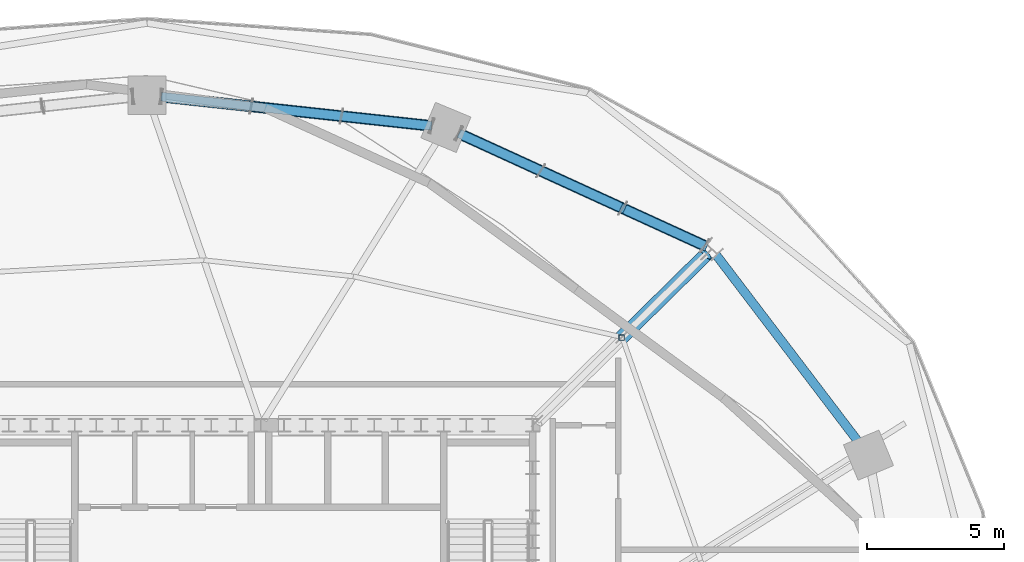
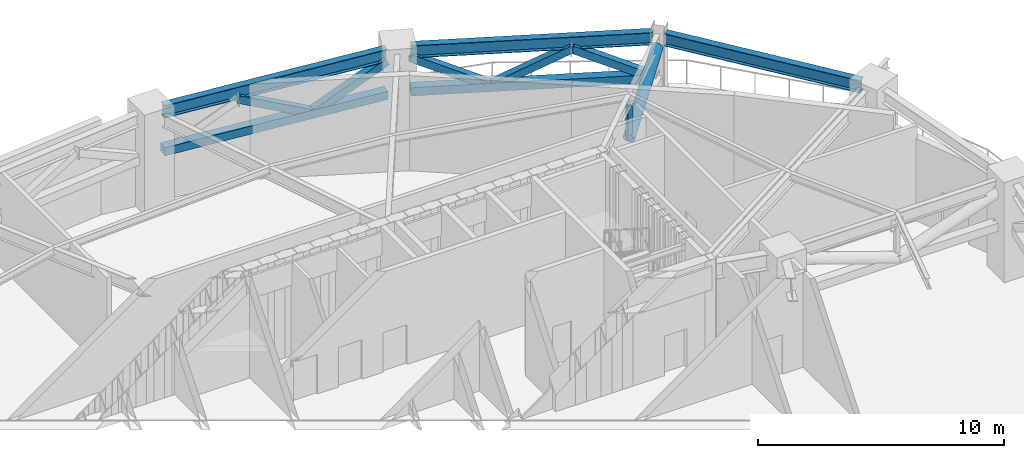
# One storey, part 8 of 18: 9 members, 3 beams.
"""IFC4 building model written with IfcOpenShell, lengths in metres."""

from ifc_helpers import new_model, si_unit, direction, frame, origin, origin_2d, place, context, subcontext, project, spatial, hollow_rectangle, hollow_circle, i_section, extrude, material, material_profile, profile_set, type_object, element, save


model = new_model("IFC4")

# Units and contexts
model_context = context("Model", 3, precision=1e-05, world=origin(), true_north=direction((0.0, 1.0)))
body_context = subcontext(model_context, "Body", "Model", "MODEL_VIEW")
ifc_project = project(units=[si_unit("LENGTHUNIT", "METRE"), si_unit("AREAUNIT", "SQUARE_METRE"), si_unit("VOLUMEUNIT", "CUBIC_METRE"), si_unit("PLANEANGLEUNIT", "RADIAN"), si_unit("MASSUNIT", "GRAM", prefix="KILO")], contexts=[model_context])

# Site, building, storey
site_placement = place(None, origin())
site = spatial("IfcSite", under=ifc_project, at=site_placement, CompositionType="ELEMENT")
building_placement = place(site_placement, origin())
building = spatial("IfcBuilding", under=site, at=building_placement, Name="Haldorwick Loom Tower", CompositionType="ELEMENT")
storey_placement = place(building_placement, frame((0.0, 0.0, 76.800048828125)))
storey = spatial("IfcBuildingStorey", under=building, at=storey_placement, Name="L20", CompositionType="ELEMENT", Elevation=76.800048828125)

# Beams
ifc_material = material(Name="Steel CSA G40.21 350W", Category="steel")
ifc_material_profile_1 = material_profile(ifc_material, i_section(OverallWidth=0.324951171875, OverallDepth=0.615966796875, WebThickness=0.013916015625, FlangeThickness=0.021484375, at=origin_2d()), Name="W610X174", Category="steel")
ifc_profile_set_1 = profile_set([ifc_material_profile_1], Name="Steel CSA G40.21 350W")
beam_type = type_object("IfcBeamType", Name="STR-BM-SP610", PredefinedType="SPANDREL", material=ifc_profile_set_1)
beam_1_placement = place(storey_placement, frame((62.015869140625, 34.87109375, 4.451904296875), z_axis=(-0.605453508047, 0.795880675475, 0.0), x_axis=(-0.795880675475, -0.605453508047, 0.0)))
element("IfcBeam", 1, at=beam_1_placement, inside=storey, type_object=beam_type, Name="L20 Perimeter Spandrel 2", PredefinedType="SPANDREL", context=body_context, shape_type="SweptSolid", body=[
    extrude(i_section(OverallWidth=0.324951171875, OverallDepth=0.615966796875, WebThickness=0.013916015625, FlangeThickness=0.021484375, at=origin_2d()), origin(), (0.0, 0.0, 1.0), 8.6591796875),
])
beam_2_placement = place(storey_placement, frame((56.356689453125, 42.09619140625, 4.451904296875), z_axis=(-0.909423969306, 0.415870225011, 0.0), x_axis=(-0.415870225011, -0.909423969306, 0.0)))
element("IfcBeam", 2, at=beam_2_placement, inside=storey, type_object=beam_type, Name="L20 Perimeter Spandrel 3", PredefinedType="SPANDREL", context=body_context, shape_type="SweptSolid", body=[
    extrude(i_section(OverallWidth=0.324951171875, OverallDepth=0.615966796875, WebThickness=0.013916015625, FlangeThickness=0.021484375, at=origin_2d()), origin(), (0.0, 0.0, 1.0), 9.871337890625),
])
beam_3_placement = place(storey_placement, frame((46.389404296875, 46.4736328125, 4.451904296875), z_axis=(-0.994190135627, 0.107638163409, 0.0), x_axis=(-0.107638163409, -0.994190135627, 0.0)))
element("IfcBeam", 3, at=beam_3_placement, inside=storey, type_object=beam_type, Name="L20 Perimeter Spandrel 4", PredefinedType="SPANDREL", context=body_context, shape_type="SweptSolid", body=[
    extrude(i_section(OverallWidth=0.324951171875, OverallDepth=0.615966796875, WebThickness=0.013916015625, FlangeThickness=0.021484375, at=origin_2d()), origin(), (0.0, 0.0, 1.0), 9.929931640625),
])

# Members
ifc_material_profile_2 = material_profile(ifc_material, hollow_rectangle(XDim=0.355712890625, YDim=0.355712890625, WallThickness=0.015869140625, at=origin_2d()), Name="HSS356X356X16", Category="steel")
ifc_profile_set_2 = profile_set([ifc_material_profile_2], Name="Steel CSA G40.21 350W")
member_type_1 = type_object("IfcMemberType", Name="STR-MEM-BR356", PredefinedType="BRACE", material=ifc_profile_set_2)
for number, where, z_axis, x_axis, name in (
    (4, (56.356689453125, 42.09619140625, 2.5), (-0.813531343432, 0.372019513742, 0.446954398847), (-0.415870225011, -0.909423969306, 0.0), "L20 Perimeter Belt Truss Web Diagonal 3-1"),
    (5, (53.3642578125, 43.464599609375, 4.14404296875), (-0.813531343432, 0.372019513742, -0.446954398847), (-0.415870225011, -0.909423969306, 0.0), "L20 Perimeter Belt Truss Web Diagonal 3-2"),
    (6, (50.371826171875, 44.8330078125, 2.5), (-0.813531343432, 0.372019513742, 0.446954398847), (-0.415870225011, -0.909423969306, 0.0), "L20 Perimeter Belt Truss Web Diagonal 3-3"),
):
    element("IfcMember", number, at=place(storey_placement, frame(where, z_axis=z_axis, x_axis=x_axis)), inside=storey, type_object=member_type_1, Name=name, PredefinedType="BRACE", context=body_context, shape_type="SweptSolid", body=[
        extrude(hollow_rectangle(XDim=0.355712890625, YDim=0.355712890625, WallThickness=0.015869140625, at=origin_2d()), origin(), (0.0, 0.0, 1.0), 3.67822265625),
    ])
for number, where, z_axis, x_axis, name in (
    (7, (46.389404296875, 46.4736328125, 4.14404296875), (-0.890408566654, 0.096380005842, -0.444840959111), (-0.107613862017, -0.99419276637, 0.0), "L20 Perimeter Belt Truss Web Diagonal 4-1"),
    (8, (43.0986328125, 46.829833984375, 2.5), (-0.890402895746, 0.096445450537, 0.444838125971), (-0.107686765614, -0.994184872401, 0.0), "L20 Perimeter Belt Truss Web Diagonal 4-2"),
):
    element("IfcMember", number, at=place(storey_placement, frame(where, z_axis=z_axis, x_axis=x_axis)), inside=storey, type_object=member_type_1, Name=name, PredefinedType="BRACE", context=body_context, shape_type="SweptSolid", body=[
        extrude(hollow_rectangle(XDim=0.355712890625, YDim=0.355712890625, WallThickness=0.015869140625, at=origin_2d()), origin(), (0.0, 0.0, 1.0), 3.69580078125),
    ])
ifc_material_profile_3 = material_profile(ifc_material, hollow_circle(Radius=0.25390625, WallThickness=0.015869140625, at=origin_2d()), Name="HSS508X16", Category="steel")
ifc_profile_set_3 = profile_set([ifc_material_profile_3], Name="Steel CSA G40.21 350W")
member_type_2 = type_object("IfcMemberType", Name="STR-MEM-BR508", PredefinedType="BRACE", material=ifc_profile_set_3)
member_1_placement = place(storey_placement, frame((53.320556640625, 38.748291015625, 2.5), z_axis=(0.66656145898, 0.655818961143, 0.354397110044), x_axis=(-0.701339382768, 0.712827517832, 0.0)))
element("IfcMember", 9, at=member_1_placement, inside=storey, type_object=member_type_2, Name="L20 Outrigger OT-NE Outer Diagonal", PredefinedType="BRACE", context=body_context, shape_type="SweptSolid", body=[
    extrude(hollow_circle(Radius=0.25390625, WallThickness=0.015869140625, at=origin_2d()), origin(), (0.0, 0.0, 1.0), 4.63623046875),
])
ifc_material_profile_4 = material_profile(ifc_material, hollow_rectangle(XDim=0.406494140625, YDim=0.406494140625, WallThickness=0.015869140625, at=origin_2d()), Name="HSS406X406X16", Category="steel")
ifc_profile_set_4 = profile_set([ifc_material_profile_4], Name="Steel CSA G40.21 350W")
member_type_3 = type_object("IfcMemberType", Name="STR-MEM-CH406", PredefinedType="CHORD", material=ifc_profile_set_4)
member_2_placement = place(storey_placement, frame((56.356689453125, 42.09619140625, 2.5), z_axis=(-0.909423969306, 0.415870225011, 0.0), x_axis=(-0.415870225011, -0.909423969306, 0.0)))
element("IfcMember", 10, at=member_2_placement, inside=storey, type_object=member_type_3, Name="L20 Perimeter Belt Truss Bottom Chord 3", PredefinedType="CHORD", context=body_context, shape_type="SweptSolid", body=[
    extrude(hollow_rectangle(XDim=0.406494140625, YDim=0.406494140625, WallThickness=0.015869140625, at=origin_2d()), origin(), (0.0, 0.0, 1.0), 9.871337890625),
])
member_3_placement = place(storey_placement, frame((46.389404296875, 46.4736328125, 2.5), z_axis=(-0.994190135627, 0.107638163409, 0.0), x_axis=(-0.107638163409, -0.994190135627, 0.0)))
element("IfcMember", 11, at=member_3_placement, inside=storey, type_object=member_type_3, Name="L20 Perimeter Belt Truss Bottom Chord 4", PredefinedType="CHORD", context=body_context, shape_type="SweptSolid", body=[
    extrude(hollow_rectangle(XDim=0.406494140625, YDim=0.406494140625, WallThickness=0.015869140625, at=origin_2d()), origin(), (0.0, 0.0, 1.0), 9.929931640625),
])
ifc_material_profile_5 = material_profile(ifc_material, hollow_rectangle(XDim=0.203125, YDim=0.203125, WallThickness=0.009521484375, at=origin_2d()), Name="HSS203X203X10", Category="steel")
ifc_profile_set_5 = profile_set([ifc_material_profile_5], Name="Steel CSA G40.21 350W")
member_type_4 = type_object("IfcMemberType", Name="STR-MEM-ST203", PredefinedType="STRUT", material=ifc_profile_set_5)
member_4_placement = place(storey_placement, frame((53.320556640625, 38.748291015625, 2.5), z_axis=(0.0, 0.0, 1.0), x_axis=(1.0, 0.0, 0.0)))
element("IfcMember", 12, at=member_4_placement, inside=storey, type_object=member_type_4, Name="L20 Outrigger OT-NE Mid Post", PredefinedType="STRUT", context=body_context, shape_type="SweptSolid", body=[
    extrude(hollow_rectangle(XDim=0.203125, YDim=0.203125, WallThickness=0.009521484375, at=origin_2d()), origin(), (0.0, 0.0, 1.0), 1.64306640625),
])

save(model, "model.ifc")
